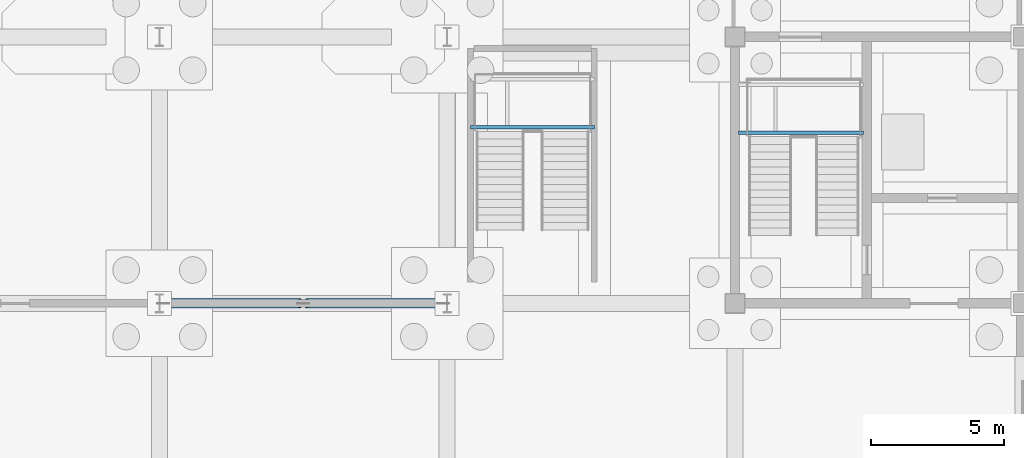
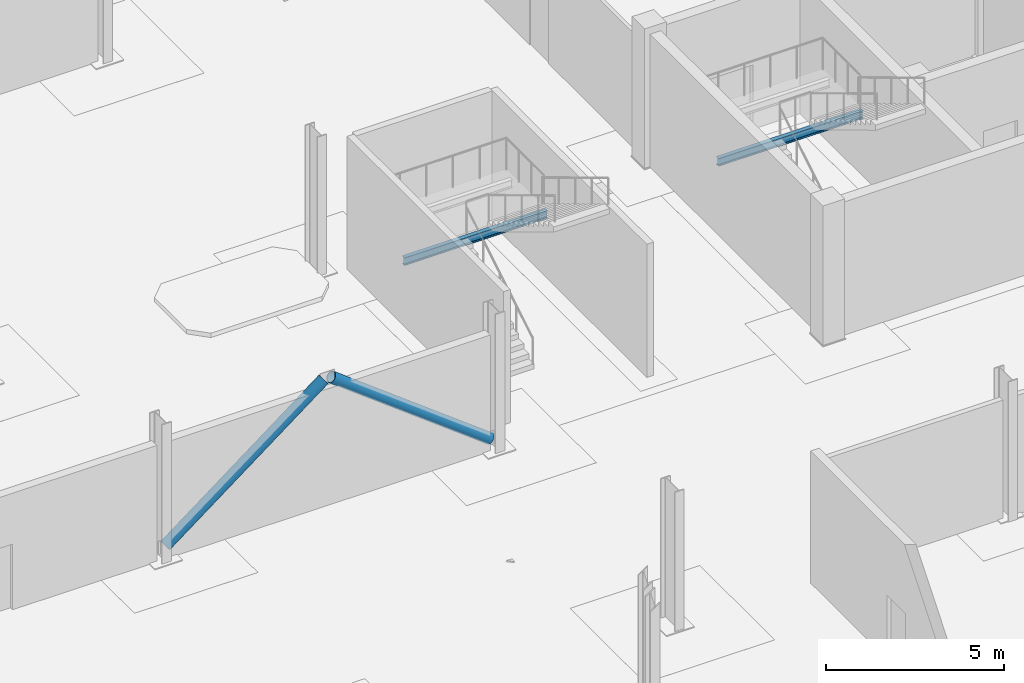
# One storey, part 25 of 73: 2 beams, 2 members.
"""IFC4 building model written with IfcOpenShell, lengths in metres."""

from ifc_helpers import new_model, si_unit, direction, frame, origin, origin_2d, place, context, subcontext, project, spatial, hollow_circle, i_section, extrude, material, material_profile, profile_set, type_object, element, save


model = new_model("IFC4")

# Units and contexts
model_context = context("Model", 3, precision=1e-05, world=origin(), true_north=direction((0.0, 1.0)))
body_context = subcontext(model_context, "Body", "Model", "MODEL_VIEW")
ifc_project = project(units=[si_unit("LENGTHUNIT", "METRE"), si_unit("AREAUNIT", "SQUARE_METRE"), si_unit("VOLUMEUNIT", "CUBIC_METRE"), si_unit("PLANEANGLEUNIT", "RADIAN"), si_unit("MASSUNIT", "GRAM", prefix="KILO")], contexts=[model_context])

# Site, building, storey
site_placement = place(None, origin())
site = spatial("IfcSite", under=ifc_project, at=site_placement, CompositionType="ELEMENT")
building_placement = place(site_placement, origin())
building = spatial("IfcBuilding", under=site, at=building_placement, Name="Tasgan Crest Museum", CompositionType="ELEMENT")
storey_placement = place(building_placement, origin())
storey = spatial("IfcBuildingStorey", under=building, at=storey_placement, Name="L00", CompositionType="ELEMENT", Elevation=0.0)

# Beams
ifc_material_1 = material(Name="Steel S355J2", Category="steel")
ifc_material_profile_1 = material_profile(ifc_material_1, i_section(OverallWidth=0.135009765625, OverallDepth=0.27001953125, WebThickness=0.006591796875, FlangeThickness=0.01025390625, FilletRadius=0.014892578125, at=origin_2d()), Name="IPE 270")
ifc_profile_set_1 = profile_set([ifc_material_profile_1], Name="Steel S355J2")
beam_type = type_object("IfcBeamType", Name="BM-LAND-IPE270", PredefinedType="BEAM", material=ifc_profile_set_1)
beam_1_placement = place(storey_placement, frame((43.330078125, 46.405029296875, 2.06494140625), z_axis=(1.0, 0.0, 0.0), x_axis=(0.0, 1.0, 0.0)))
element("IfcBeam", 1, at=beam_1_placement, inside=storey, type_object=beam_type, Name="Stair half-landing beam ST-SW-L00 T1F", PredefinedType="BEAM", context=body_context, shape_type="SweptSolid", body=[
    extrude(i_section(OverallWidth=0.135009765625, OverallDepth=0.27001953125, WebThickness=0.006591796875, FlangeThickness=0.01025390625, FilletRadius=0.014892578125, at=origin_2d()), origin(), (0.0, 0.0, 1.0), 4.68994140625),
])
beam_2_placement = place(storey_placement, frame((33.280029296875, 46.60498046875, 2.06494140625), z_axis=(1.0, 0.0, 0.0), x_axis=(0.0, 1.0, 0.0)))
element("IfcBeam", 2, at=beam_2_placement, inside=storey, type_object=beam_type, Name="Stair half-landing beam ST-GP-L00 T1F", PredefinedType="BEAM", context=body_context, shape_type="SweptSolid", body=[
    extrude(i_section(OverallWidth=0.135009765625, OverallDepth=0.27001953125, WebThickness=0.006591796875, FlangeThickness=0.01025390625, FilletRadius=0.014892578125, at=origin_2d()), origin(), (0.0, 0.0, 1.0), 4.639892578125),
])

# Members
ifc_material_2 = material(Name="Steel S355K2", Category="steel")
ifc_material_profile_2 = material_profile(ifc_material_2, hollow_circle(Radius=0.177734375, WallThickness=0.01611328125, at=origin_2d()), Name="CHS 355.6x16")
ifc_profile_set_2 = profile_set([ifc_material_profile_2], Name="Steel S355K2")
member_type = type_object("IfcMemberType", Name="MEM-BR-CHS355", PredefinedType="BRACE", material=ifc_profile_set_2)
for number, where, z_axis, x_axis, name in (
    (3, (21.75, 40.0, 0.35009765625), (0.796073117419, 0.0, 0.605200455818), (0.0, 1.0, 0.0), "Chevron brace L L00 E 21.6"),
    (4, (32.25, 40.0, 0.35009765625), (-0.796073117419, 0.0, 0.605200455818), (0.0, -1.0, 0.0), "Chevron brace R L00 E 32.4"),
):
    element("IfcMember", number, at=place(storey_placement, frame(where, z_axis=z_axis, x_axis=x_axis)), inside=storey, type_object=member_type, Name=name, PredefinedType="BRACE", context=body_context, shape_type="SweptSolid", body=[
        extrude(hollow_circle(Radius=0.177734375, WallThickness=0.01611328125, at=origin_2d()), origin(), (0.0, 0.0, 1.0), 6.444091796875),
    ])

save(model, "model.ifc")
